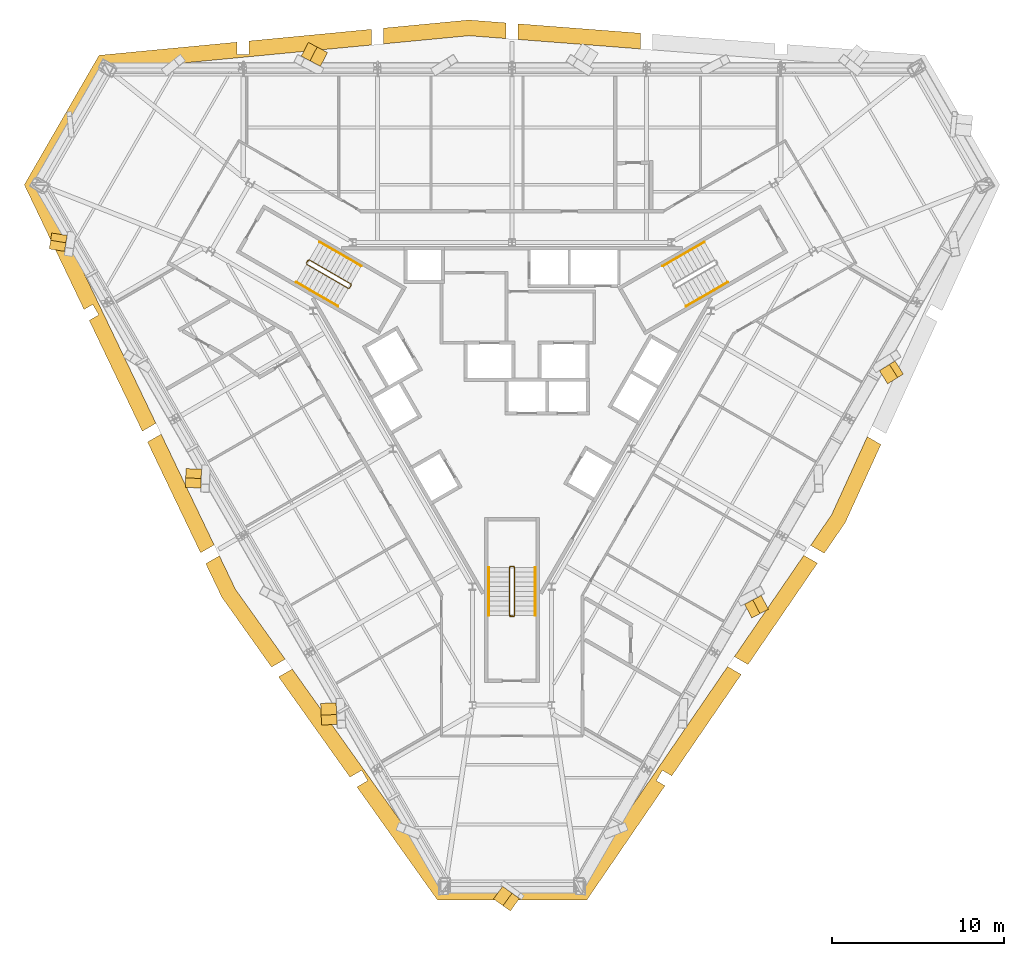
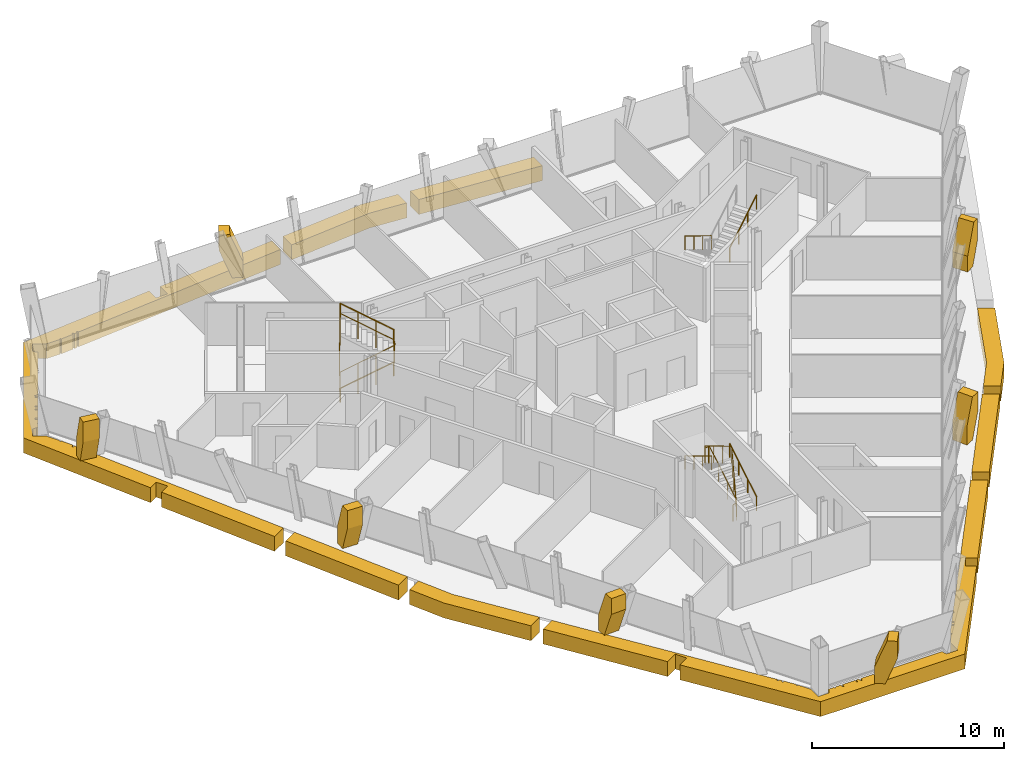
# One storey, part 11 of 12: 15 coverings, 8 railings.
"""IFC4 building model written with IfcOpenShell, lengths in metres."""

import ifcopenshell
import ifcopenshell.guid

model = None  # the IFC model being written
_history = None  # IfcOwnerHistory: only IFC2X3 demands one
_inside = {}  # id of a spatial element -> (the spatial element, [elements in it])
_under = {}  # id of a project, library or spatial element -> (it, [spatial elements below it])
_declared = {}  # id of a project -> (the project, [libraries it declares])
_typed = {}  # id of a type object -> (the type object, [elements of that type])
_made_of = {}  # id of a material, layer set ... -> (it, [elements and type objects made of it])


def new_model(schema):
    """Start an empty IFC model of exactly this schema.

    Asked for "IFC4X3", IfcOpenShell would pick the latest addendum, in which some entities
    have other attributes; the version numbers below select the first issue.
    IFC2X3 requires an IfcOwnerHistory on every rooted entity: one is made here for all.
    """
    global model, _history
    if schema == "IFC4X3":
        model = ifcopenshell.file(schema_version=(4, 3, 0, 0))
    else:
        model = ifcopenshell.file(schema=schema)
    _inside.clear()
    _under.clear()
    _declared.clear()
    _typed.clear()
    _made_of.clear()
    _history = None
    if model.schema == "IFC2X3":
        org = make("IfcOrganization", Name="unknown")
        user = make(
            "IfcPersonAndOrganization",
            ThePerson=make("IfcPerson", FamilyName="unknown"),
            TheOrganization=org,
        )
        app = make(
            "IfcApplication",
            ApplicationDeveloper=org,
            Version="unknown",
            ApplicationFullName="unknown",
            ApplicationIdentifier="unknown",
        )
        _history = make(
            "IfcOwnerHistory",
            OwningUser=user,
            OwningApplication=app,
            ChangeAction="ADDED",
            CreationDate=0,
        )
    return model


def make(cls, **values):
    """One entity of the class cls with the attributes given. An attribute that is None is left unset."""
    return model.create_entity(
        cls, **{name: value for name, value in values.items() if value is not None}
    )


def rooted(cls, **values):
    """An entity with a GlobalId (a new one), such as an element, a storey or a relation."""
    return make(cls, GlobalId=ifcopenshell.guid.new(), OwnerHistory=_history, **values)


def si_unit(unit_type, name, prefix=None):
    """IfcSIUnit, for example si_unit("LENGTHUNIT", "METRE", prefix="MILLI")."""
    return make("IfcSIUnit", UnitType=unit_type, Prefix=prefix, Name=name)


def assignment(units):
    """IfcUnitAssignment: the units of a project."""
    return None if units is None else make("IfcUnitAssignment", Units=units)


def point(xyz):
    """IfcCartesianPoint."""
    return None if xyz is None else make("IfcCartesianPoint", Coordinates=xyz)


def direction(xyz):
    """IfcDirection."""
    return None if xyz is None else make("IfcDirection", DirectionRatios=xyz)


def frame(location, z_axis=None, x_axis=None):
    """IfcAxis2Placement3D, a coordinate frame: its origin and axes. An axis left out is left unset."""
    return make(
        "IfcAxis2Placement3D",
        Location=point(location),
        Axis=direction(z_axis),
        RefDirection=direction(x_axis),
    )


def frame_2d(location, x_axis=None):
    """IfcAxis2Placement2D, a coordinate frame in the plane: its origin and x axis."""
    return make(
        "IfcAxis2Placement2D", Location=point(location), RefDirection=direction(x_axis)
    )


def origin():
    """The frame at (0, 0, 0) with its axes left unset."""
    return frame((0.0, 0.0, 0.0))


def origin_2d():
    """The frame at (0, 0) in the plane with its x axis left unset."""
    return frame_2d((0.0, 0.0))


def place(relative_to, where):
    """IfcLocalPlacement: puts the frame where relative to a parent placement (None: the world)."""
    return make(
        "IfcLocalPlacement", PlacementRelTo=relative_to, RelativePlacement=where
    )


def context(
    kind, dimensions, precision=None, world=None, true_north=None, identifier=None
):
    """IfcGeometricRepresentationContext, for example the 3D "Model" context."""
    return make(
        "IfcGeometricRepresentationContext",
        ContextIdentifier=identifier,
        ContextType=kind,
        CoordinateSpaceDimension=dimensions,
        Precision=precision,
        WorldCoordinateSystem=world,
        TrueNorth=true_north,
    )


def subcontext(parent, identifier, kind, view, scale=None):
    """IfcGeometricRepresentationSubContext, for example "Body" below "Model"."""
    return make(
        "IfcGeometricRepresentationSubContext",
        ContextIdentifier=identifier,
        ContextType=kind,
        ParentContext=parent,
        TargetScale=scale,
        TargetView=view,
    )


def project(units=None, contexts=None):
    """IfcProject with its units and contexts."""
    return rooted(
        "IfcProject",
        Name="project",
        RepresentationContexts=contexts,
        UnitsInContext=assignment(units),
    )


def spatial(cls, under=None, at=None, **own):
    """A site, building, storey or space (cls), placed at a placement, below another one or the project."""
    s = rooted(cls, ObjectPlacement=at, **own)
    if under is not None:
        _under.setdefault(under.id(), (under, []))[1].append(s)
    return s


def polyline(points):
    """IfcPolyline through the points."""
    return make("IfcPolyline", Points=[point(p) for p in points])


def profile(cls, at=None, kind="AREA", **sizes):
    """A parametric profile (cls). Its sizes go by their IFC names, for example OverallWidth=200.0."""
    return make(cls, ProfileType=kind, Position=at, **sizes)


def circle(**sizes):
    """IfcCircleProfileDef."""
    return profile("IfcCircleProfileDef", **sizes)


def outline(outer, holes=None, kind="AREA"):
    """IfcArbitraryClosedProfileDef: a profile drawn as a closed curve; with holes, ...WithVoids."""
    if holes is None:
        return make("IfcArbitraryClosedProfileDef", ProfileType=kind, OuterCurve=outer)
    return make(
        "IfcArbitraryProfileDefWithVoids",
        ProfileType=kind,
        OuterCurve=outer,
        InnerCurves=holes,
    )


def extrude(swept, where, along, depth):
    """IfcExtrudedAreaSolid: the profile swept, set in the frame where, extruded along a direction by depth."""
    return make(
        "IfcExtrudedAreaSolid",
        SweptArea=swept,
        Position=where,
        ExtrudedDirection=direction(along),
        Depth=depth,
    )


def shape(context_of_items, identifier, shape_type, items):
    """IfcShapeRepresentation: the items that make up one representation, for example the "Body"."""
    return make(
        "IfcShapeRepresentation",
        ContextOfItems=context_of_items,
        RepresentationIdentifier=identifier,
        RepresentationType=shape_type,
        Items=items,
    )


def material(Name=None, Category=None):
    """IfcMaterial."""
    return make("IfcMaterial", Name=Name, Category=Category)


def layer(
    of_material, thickness, ventilated=None, Name=None, Category=None, Priority=None
):
    """IfcMaterialLayer: one layer of a wall or slab, of a material (None: an air gap)."""
    return make(
        "IfcMaterialLayer",
        Material=of_material,
        LayerThickness=thickness,
        IsVentilated=ventilated,
        Name=Name,
        Category=Category,
        Priority=Priority,
    )


def layer_set(layers, Name=None):
    """IfcMaterialLayerSet."""
    return make("IfcMaterialLayerSet", MaterialLayers=layers, LayerSetName=Name)


def made_of(thing, what):
    """Note that an element or type object is made of a material, layer set ...; save() writes the relation."""
    if what is not None:
        _made_of.setdefault(what.id(), (what, []))[1].append(thing)
    return thing


def type_object(cls, material=None, **own):
    """A type object (cls), such as IfcWallType, which elements share."""
    return made_of(rooted(cls, **own), material)


def element(
    cls,
    number,
    at=None,
    inside=None,
    cuts=None,
    type_object=None,
    material=None,
    context=None,
    identifier="Body",
    shape_type=None,
    held_by="IfcProductDefinitionShape",
    body=None,
    shapes=None,
    **own,
):
    """One element of the class cls, such as IfcWall. Its Tag is "e" and its number.

    at: its placement. inside: the storey or other place that contains it. cuts: it is an
    opening in that element (IfcRelVoidsElement). A single representation is given by context,
    identifier, shape_type and body (its items); several are given by shapes. held_by: the class
    of the entity that holds the representations. save() writes the other relations.
    """
    e = rooted(cls, Tag="e%d" % number, ObjectPlacement=at, **own)
    if body is not None:
        shapes = [shape(context, identifier, shape_type, body)]
    if shapes is not None:
        e.Representation = make(held_by, Representations=shapes)
    if inside is not None:
        _inside.setdefault(inside.id(), (inside, []))[1].append(e)
    if cuts is not None:
        rooted(
            "IfcRelVoidsElement", RelatingBuildingElement=cuts, RelatedOpeningElement=e
        )
    if type_object is not None:
        _typed.setdefault(type_object.id(), (type_object, []))[1].append(e)
    return made_of(e, material)


def aggregate(whole, parts):
    """IfcRelAggregates: a whole, such as a stair, and the parts it consists of."""
    return rooted("IfcRelAggregates", RelatingObject=whole, RelatedObjects=parts)


def save(model, path):
    """Write the relations noted so far, then the file.

    IfcRelAggregates (storeys below a building ...), IfcRelContainedInSpatialStructure (elements
    in a storey), IfcRelDefinesByType, IfcRelAssociatesMaterial and IfcRelDeclares: one each for
    every whole, place, type object, material and project.
    """
    for whole, parts in _under.values():
        aggregate(whole, parts)
    for where, things in _inside.values():
        rooted(
            "IfcRelContainedInSpatialStructure",
            RelatedElements=things,
            RelatingStructure=where,
        )
    for kind, things in _typed.values():
        rooted("IfcRelDefinesByType", RelatedObjects=things, RelatingType=kind)
    for what, things in _made_of.values():
        rooted("IfcRelAssociatesMaterial", RelatedObjects=things, RelatingMaterial=what)
    for by, libraries in _declared.values():
        rooted("IfcRelDeclares", RelatingContext=by, RelatedDefinitions=libraries)
    model.write(path)


model = new_model("IFC4")

# Units and contexts
model_context = context("Model", 3, precision=1e-05, world=origin(), true_north=direction((0.0, 1.0)))
body_context = subcontext(model_context, "Body", "Model", "MODEL_VIEW")
ifc_project = project(units=[si_unit("LENGTHUNIT", "METRE"), si_unit("AREAUNIT", "SQUARE_METRE"), si_unit("VOLUMEUNIT", "CUBIC_METRE"), si_unit("PLANEANGLEUNIT", "RADIAN"), si_unit("MASSUNIT", "GRAM", prefix="KILO")], contexts=[model_context])

# Site, building, storey
site_placement = place(None, origin())
site = spatial("IfcSite", under=ifc_project, at=site_placement, CompositionType="ELEMENT")
building_placement = place(site_placement, origin())
building = spatial("IfcBuilding", under=site, at=building_placement, Name="Verrane Prism Tower", CompositionType="ELEMENT")
storey_placement = place(building_placement, frame((0.0, 0.0, 185.800048828125)))
storey = spatial("IfcBuildingStorey", under=building, at=storey_placement, Name="L46", CompositionType="ELEMENT", Elevation=185.800048828125)

# Railings
ifc_material_1 = material(Name="Steel A36 rail and posts, no infill", Category="steel")
railing_type_1 = type_object("IfcRailingType", Name="Stair guard 1100 steel rail and posts", PredefinedType="GUARDRAIL", material=ifc_material_1)
railing_1_placement = place(storey_placement, frame((-11.939453125, 6.72021484375, 0.168212890625)))
element("IfcRailing", 1, at=railing_1_placement, inside=storey, type_object=railing_type_1, Name="Stair 2 guard", PredefinedType="GUARDRAIL", context=body_context, shape_type="SweptSolid", body=[
    extrude(circle(Radius=0.02392578125, at=origin_2d()), frame((0.0, 0.0, 1.076171875), z_axis=(0.742395268701, -0.428678701772, 0.514862928999), x_axis=(0.500049511043, 0.865996816683, 0.0)), (0.0, 0.0, 1.0), 3.26611328125),
    extrude(circle(Radius=0.02392578125, at=origin_2d()), frame((2.4248046875, -1.400146484375, 2.7578125), z_axis=(0.965948051503, 0.258736085224, 0.0), x_axis=(-0.258736085224, 0.965948051503, 0.0)), (0.0, 0.0, 1.0), 0.07080078125),
    extrude(circle(Radius=0.02392578125, at=origin_2d()), frame((2.4931640625, -1.3818359375, 2.7578125), z_axis=(0.499158860599, 0.866510491504, 0.0), x_axis=(-0.866510491504, 0.499158860599, 0.0)), (0.0, 0.0, 1.0), 0.199951171875),
    extrude(circle(Radius=0.02392578125, at=origin_2d()), frame((2.593017578125, -1.20849609375, 2.7578125), z_axis=(-0.100385596638, 0.373434419493, 0.922209014446), x_axis=(-0.965715946433, -0.259601060869, 0.0)), (0.0, 0.0, 1.0), 0.182373046875),
    extrude(circle(Radius=0.02392578125, at=origin_2d()), frame((2.57470703125, -1.140380859375, 2.92578125), z_axis=(-0.742366697286, 0.42866220388, 0.514917859203), x_axis=(-0.500049511043, -0.865996816683, 0.0)), (0.0, 0.0, 1.0), 3.266357421875),
    extrude(circle(Radius=0.02392578125, at=origin_2d()), frame((0.14990234375, 0.259765625, 4.60791015625), z_axis=(-0.04535595117, -0.051675503147, -0.99763343973), x_axis=(0.751567565678, -0.659656118156, 0.0)), (0.0, 0.0, 1.0), 3.708740234375),
    extrude(circle(Radius=0.02392578125, at=origin_2d()), frame((-0.018310546875, 0.068115234375, 0.90771484375), z_axis=(0.499158860599, 0.866510491504, 0.0), x_axis=(-0.866510491504, 0.499158860599, 0.0)), (0.0, 0.0, 1.0), 0.199951171875),
    extrude(circle(Radius=0.02099609375, at=origin_2d()), origin(), (0.0, 0.0, 1.0), 1.052001953125),
    extrude(circle(Radius=0.02099609375, at=origin_2d()), frame((0.808349609375, -0.466796875, 0.560546875)), (0.0, 0.0, 1.0), 1.052001953125),
    extrude(circle(Radius=0.02099609375, at=origin_2d()), frame((1.616455078125, -0.933349609375, 1.12109375)), (0.0, 0.0, 1.0), 1.052001953125),
    extrude(circle(Radius=0.02099609375, at=origin_2d()), frame((2.4248046875, -1.400146484375, 1.681640625)), (0.0, 0.0, 1.0), 1.052001953125),
    extrude(circle(Radius=0.02099609375, at=origin_2d()), frame((2.4931640625, -1.3818359375, 1.681640625)), (0.0, 0.0, 1.0), 1.052001953125),
    extrude(circle(Radius=0.02099609375, at=origin_2d()), frame((2.593017578125, -1.20849609375, 1.681640625)), (0.0, 0.0, 1.0), 1.052001953125),
    extrude(circle(Radius=0.02099609375, at=origin_2d()), frame((2.57470703125, -1.140380859375, 1.849853515625)), (0.0, 0.0, 1.0), 1.052001953125),
    extrude(circle(Radius=0.02099609375, at=origin_2d()), frame((1.766357421875, -0.673583984375, 2.410400390625)), (0.0, 0.0, 1.0), 1.052001953125),
    extrude(circle(Radius=0.02099609375, at=origin_2d()), frame((0.958251953125, -0.20703125, 2.97119140625)), (0.0, 0.0, 1.0), 1.052001953125),
    extrude(circle(Radius=0.02099609375, at=origin_2d()), frame((0.14990234375, 0.259765625, 3.53173828125)), (0.0, 0.0, 1.0), 1.052001953125),
    extrude(circle(Radius=0.02099609375, at=origin_2d()), frame((0.10791015625, 0.2119140625, 2.606689453125)), (0.0, 0.0, 1.0), 1.052001953125),
    extrude(circle(Radius=0.02099609375, at=origin_2d()), frame((0.06591796875, 0.1640625, 1.681640625)), (0.0, 0.0, 1.0), 1.052001953125),
    extrude(circle(Radius=0.02099609375, at=origin_2d()), frame((0.023681640625, 0.115966796875, 0.7568359375)), (0.0, 0.0, 1.0), 1.052001953125),
    extrude(circle(Radius=0.02099609375, at=origin_2d()), frame((-0.018310546875, 0.068115234375, -0.168212890625)), (0.0, 0.0, 1.0), 1.052001953125),
    extrude(circle(Radius=0.02099609375, at=origin_2d()), frame((0.08154296875, 0.241455078125, -0.168212890625)), (0.0, 0.0, 1.0), 1.052001953125),
])
railing_2_placement = place(storey_placement, frame((0.14990234375, -13.699951171875, 0.168212890625)))
element("IfcRailing", 2, at=railing_2_placement, inside=storey, type_object=railing_type_1, Name="Stair 3 guard", PredefinedType="GUARDRAIL", context=body_context, shape_type="SweptSolid", body=[
    extrude(circle(Radius=0.02392578125, at=origin_2d()), frame((0.0, 0.0, 1.076171875), z_axis=(0.0, 0.857275202839, 0.514858452973), x_axis=(-1.0, 0.0, 0.0)), (0.0, 0.0, 1.0), 3.26611328125),
    extrude(circle(Radius=0.02392578125, at=origin_2d()), frame((0.0, 2.800048828125, 2.7578125), z_axis=(-0.707106781187, 0.707106781187, 0.0), x_axis=(-0.707106781187, -0.707106781187, 0.0)), (0.0, 0.0, 1.0), 0.0703125),
    extrude(circle(Radius=0.02392578125, at=origin_2d()), frame((-0.0498046875, 2.849853515625, 2.7578125), z_axis=(-1.0, 0.0, 0.0), x_axis=(0.0, -1.0, 0.0)), (0.0, 0.0, 1.0), 0.2001953125),
    extrude(circle(Radius=0.02392578125, at=origin_2d()), frame((-0.25, 2.849853515625, 2.7578125), z_axis=(-0.273106073848, -0.273106073848, 0.922402376869), x_axis=(0.707106781187, -0.707106781187, 0.0)), (0.0, 0.0, 1.0), 0.182373046875),
    extrude(circle(Radius=0.02392578125, at=origin_2d()), frame((-0.2998046875, 2.800048828125, 2.92578125), z_axis=(0.0, -0.857242210791, 0.514913383045), x_axis=(1.0, 0.0, 0.0)), (0.0, 0.0, 1.0), 3.266357421875),
    extrude(circle(Radius=0.02392578125, at=origin_2d()), frame((-0.2998046875, 0.0, 4.60791015625), z_axis=(0.067408604812, -0.013494886706, -0.997634185476), x_axis=(0.196300278283, 0.98054382908, 0.0)), (0.0, 0.0, 1.0), 3.708740234375),
    extrude(circle(Radius=0.02392578125, at=origin_2d()), frame((-0.0498046875, -0.050048828125, 0.90771484375), z_axis=(-1.0, 0.0, 0.0), x_axis=(0.0, -1.0, 0.0)), (0.0, 0.0, 1.0), 0.2001953125),
    extrude(circle(Radius=0.02099609375, at=origin_2d()), origin(), (0.0, 0.0, 1.0), 1.052001953125),
    extrude(circle(Radius=0.02099609375, at=origin_2d()), frame((0.0, 0.933349609375, 0.560546875)), (0.0, 0.0, 1.0), 1.052001953125),
    extrude(circle(Radius=0.02099609375, at=origin_2d()), frame((0.0, 1.86669921875, 1.12109375)), (0.0, 0.0, 1.0), 1.052001953125),
    extrude(circle(Radius=0.02099609375, at=origin_2d()), frame((0.0, 2.800048828125, 1.681640625)), (0.0, 0.0, 1.0), 1.052001953125),
    extrude(circle(Radius=0.02099609375, at=origin_2d()), frame((-0.0498046875, 2.849853515625, 1.681640625)), (0.0, 0.0, 1.0), 1.052001953125),
    extrude(circle(Radius=0.02099609375, at=origin_2d()), frame((-0.25, 2.849853515625, 1.681640625)), (0.0, 0.0, 1.0), 1.052001953125),
    extrude(circle(Radius=0.02099609375, at=origin_2d()), frame((-0.2998046875, 2.800048828125, 1.849853515625)), (0.0, 0.0, 1.0), 1.052001953125),
    extrude(circle(Radius=0.02099609375, at=origin_2d()), frame((-0.2998046875, 1.86669921875, 2.410400390625)), (0.0, 0.0, 1.0), 1.052001953125),
    extrude(circle(Radius=0.02099609375, at=origin_2d()), frame((-0.2998046875, 0.933349609375, 2.97119140625)), (0.0, 0.0, 1.0), 1.052001953125),
    extrude(circle(Radius=0.02099609375, at=origin_2d()), frame((-0.2998046875, 0.0, 3.53173828125)), (0.0, 0.0, 1.0), 1.052001953125),
    extrude(circle(Radius=0.02099609375, at=origin_2d()), frame((-0.2373046875, -0.012451171875, 2.606689453125)), (0.0, 0.0, 1.0), 1.052001953125),
    extrude(circle(Radius=0.02099609375, at=origin_2d()), frame((-0.1748046875, -0.02490234375, 1.681640625)), (0.0, 0.0, 1.0), 1.052001953125),
    extrude(circle(Radius=0.02099609375, at=origin_2d()), frame((-0.1123046875, -0.03759765625, 0.7568359375)), (0.0, 0.0, 1.0), 1.052001953125),
    extrude(circle(Radius=0.02099609375, at=origin_2d()), frame((-0.0498046875, -0.050048828125, -0.168212890625)), (0.0, 0.0, 1.0), 1.052001953125),
    extrude(circle(Radius=0.02099609375, at=origin_2d()), frame((-0.25, -0.050048828125, -0.168212890625)), (0.0, 0.0, 1.0), 1.052001953125),
])
ifc_material_2 = material(Name="Steel A36 tube", Category="steel")
railing_type_2 = type_object("IfcRailingType", Name="Stair handrail 900 steel tube", PredefinedType="HANDRAIL", material=ifc_material_2)
railing_3_placement = place(storey_placement, frame((11.189453125, 8.01904296875, 0.168212890625)))
element("IfcRailing", 3, at=railing_3_placement, inside=storey, type_object=railing_type_2, Name="Stair 1 handrail", PredefinedType="HANDRAIL", context=body_context, shape_type="SweptSolid", body=[
    extrude(circle(Radius=0.02392578125, at=origin_2d()), frame((0.0, 0.0, 0.8759765625), z_axis=(-0.74241905619, -0.428617687091, 0.514879426), x_axis=(0.49998411664, -0.866034573852, 0.0)), (0.0, 0.0, 1.0), 3.26611328125),
    extrude(circle(Radius=0.02099609375, at=origin_2d()), origin(), (0.0, 0.0, 1.0), 0.851806640625),
    extrude(circle(Radius=0.02099609375, at=origin_2d()), frame((-0.808349609375, -0.466552734375, 0.560546875)), (0.0, 0.0, 1.0), 0.851806640625),
    extrude(circle(Radius=0.02099609375, at=origin_2d()), frame((-1.616455078125, -0.933349609375, 1.12109375)), (0.0, 0.0, 1.0), 0.851806640625),
    extrude(circle(Radius=0.02099609375, at=origin_2d()), frame((-2.4248046875, -1.39990234375, 1.681640625)), (0.0, 0.0, 1.0), 0.851806640625),
])
railing_4_placement = place(storey_placement, frame((10.11474609375, 4.28076171875, 2.01806640625)))
element("IfcRailing", 4, at=railing_4_placement, inside=storey, type_object=railing_type_2, Name="Stair 1 handrail", PredefinedType="HANDRAIL", context=body_context, shape_type="SweptSolid", body=[
    extrude(circle(Radius=0.02392578125, at=origin_2d()), frame((0.0, 0.0, 0.8759765625), z_axis=(0.742366697286, 0.42866220388, 0.514917859203), x_axis=(-0.500049511043, 0.865996816683, 0.0)), (0.0, 0.0, 1.0), 3.266357421875),
    extrude(circle(Radius=0.02099609375, at=origin_2d()), origin(), (0.0, 0.0, 1.0), 0.851806640625),
    extrude(circle(Radius=0.02099609375, at=origin_2d()), frame((0.808349609375, 0.466796875, 0.560546875)), (0.0, 0.0, 1.0), 0.851806640625),
    extrude(circle(Radius=0.02099609375, at=origin_2d()), frame((1.616455078125, 0.933349609375, 1.121337890625)), (0.0, 0.0, 1.0), 0.851806640625),
    extrude(circle(Radius=0.02099609375, at=origin_2d()), frame((2.4248046875, 1.400146484375, 1.681884765625)), (0.0, 0.0, 1.0), 0.851806640625),
])
railing_5_placement = place(storey_placement, frame((-12.53955078125, 5.680908203125, 0.168212890625)))
element("IfcRailing", 5, at=railing_5_placement, inside=storey, type_object=railing_type_2, Name="Stair 2 handrail", PredefinedType="HANDRAIL", context=body_context, shape_type="SweptSolid", body=[
    extrude(circle(Radius=0.02392578125, at=origin_2d()), frame((0.0, 0.0, 0.8759765625), z_axis=(0.742395268701, -0.428678701772, 0.514862928999), x_axis=(0.500049511043, 0.865996816683, 0.0)), (0.0, 0.0, 1.0), 3.26611328125),
    extrude(circle(Radius=0.02099609375, at=origin_2d()), origin(), (0.0, 0.0, 1.0), 0.851806640625),
    extrude(circle(Radius=0.02099609375, at=origin_2d()), frame((0.808349609375, -0.466796875, 0.560546875)), (0.0, 0.0, 1.0), 0.851806640625),
    extrude(circle(Radius=0.02099609375, at=origin_2d()), frame((1.616455078125, -0.933349609375, 1.12109375)), (0.0, 0.0, 1.0), 0.851806640625),
    extrude(circle(Radius=0.02099609375, at=origin_2d()), frame((2.4248046875, -1.400146484375, 1.681640625)), (0.0, 0.0, 1.0), 0.851806640625),
])
railing_6_placement = place(storey_placement, frame((-8.7646484375, 6.619140625, 2.01806640625)))
element("IfcRailing", 6, at=railing_6_placement, inside=storey, type_object=railing_type_2, Name="Stair 2 handrail", PredefinedType="HANDRAIL", context=body_context, shape_type="SweptSolid", body=[
    extrude(circle(Radius=0.02392578125, at=origin_2d()), frame((0.0, 0.0, 0.8759765625), z_axis=(-0.742390482028, 0.42860119049, 0.514934356695), x_axis=(-0.49998411664, -0.866034573852, 0.0)), (0.0, 0.0, 1.0), 3.26611328125),
    extrude(circle(Radius=0.02099609375, at=origin_2d()), origin(), (0.0, 0.0, 1.0), 0.851806640625),
    extrude(circle(Radius=0.02099609375, at=origin_2d()), frame((-0.808349609375, 0.466552734375, 0.560546875)), (0.0, 0.0, 1.0), 0.851806640625),
    extrude(circle(Radius=0.02099609375, at=origin_2d()), frame((-1.616455078125, 0.933349609375, 1.121337890625)), (0.0, 0.0, 1.0), 0.851806640625),
    extrude(circle(Radius=0.02099609375, at=origin_2d()), frame((-2.4248046875, 1.39990234375, 1.681884765625)), (0.0, 0.0, 1.0), 0.851806640625),
])
railing_7_placement = place(storey_placement, frame((1.35009765625, -13.699951171875, 0.168212890625)))
element("IfcRailing", 7, at=railing_7_placement, inside=storey, type_object=railing_type_2, Name="Stair 3 handrail", PredefinedType="HANDRAIL", context=body_context, shape_type="SweptSolid", body=[
    extrude(circle(Radius=0.02392578125, at=origin_2d()), frame((0.0, 0.0, 0.8759765625), z_axis=(0.0, 0.857275202839, 0.514858452973), x_axis=(-1.0, 0.0, 0.0)), (0.0, 0.0, 1.0), 3.26611328125),
    extrude(circle(Radius=0.02099609375, at=origin_2d()), origin(), (0.0, 0.0, 1.0), 0.851806640625),
    extrude(circle(Radius=0.02099609375, at=origin_2d()), frame((0.0, 0.933349609375, 0.560546875)), (0.0, 0.0, 1.0), 0.851806640625),
    extrude(circle(Radius=0.02099609375, at=origin_2d()), frame((0.0, 1.86669921875, 1.12109375)), (0.0, 0.0, 1.0), 0.851806640625),
    extrude(circle(Radius=0.02099609375, at=origin_2d()), frame((0.0, 2.800048828125, 1.681640625)), (0.0, 0.0, 1.0), 0.851806640625),
])
railing_8_placement = place(storey_placement, frame((-1.35009765625, -10.89990234375, 2.01806640625)))
element("IfcRailing", 8, at=railing_8_placement, inside=storey, type_object=railing_type_2, Name="Stair 3 handrail", PredefinedType="HANDRAIL", context=body_context, shape_type="SweptSolid", body=[
    extrude(circle(Radius=0.02392578125, at=origin_2d()), frame((0.0, 0.0, 0.8759765625), z_axis=(0.0, -0.857242210791, 0.514913383045), x_axis=(1.0, 0.0, 0.0)), (0.0, 0.0, 1.0), 3.266357421875),
    extrude(circle(Radius=0.02099609375, at=origin_2d()), origin(), (0.0, 0.0, 1.0), 0.851806640625),
    extrude(circle(Radius=0.02099609375, at=origin_2d()), frame((0.0, -0.933349609375, 0.560546875)), (0.0, 0.0, 1.0), 0.851806640625),
    extrude(circle(Radius=0.02099609375, at=origin_2d()), frame((0.0, -1.86669921875, 1.121337890625)), (0.0, 0.0, 1.0), 0.851806640625),
    extrude(circle(Radius=0.02099609375, at=origin_2d()), frame((0.0, -2.800048828125, 1.681884765625)), (0.0, 0.0, 1.0), 0.851806640625),
])

# Coverings
ifc_material_3 = material(Name="Warm limestone cladding", Category="masonry")
ifc_layer_1 = layer(ifc_material_3, 0.89990234375)
ifc_layer_set_1 = layer_set([ifc_layer_1], Name="Stone brace fin 900")
covering_type_1 = type_object("IfcCoveringType", Name="Stone brace fin 900", PredefinedType="CLADDING", material=ifc_layer_set_1)
covering_1_placement = place(storey_placement, frame((-10.92822265625, 18.633544921875, 0.0), z_axis=(0.0, 0.0, 1.0), x_axis=(-0.885774610607, 0.464115652833, 0.0)))
element("IfcCovering", 9, at=covering_1_placement, inside=storey, type_object=covering_type_1, Name="Stone brace fin N5 L46", PredefinedType="CLADDING", context=body_context, shape_type="SweptSolid", body=[
    extrude(outline(polyline([(1.25927734375, 2.75), (0.685302734375, 2.75), (0.0, 1.0107421875), (0.0, 0.0), (0.569091796875, 0.0), (1.25927734375, 1.751953125), (1.25927734375, 2.75)])), frame((0.0, 0.449951171875, 0.0), z_axis=(0.0, -1.0, 0.0), x_axis=(1.0, 0.0, 0.0)), (0.0, 0.0, 1.0), 0.89990234375),
])
covering_2_placement = place(storey_placement, frame((-26.310791015625, 8.468994140625, 0.0), z_axis=(0.0, 0.0, 1.0), x_axis=(-0.156698917092, -0.987646419212, 0.0)))
element("IfcCovering", 10, at=covering_2_placement, inside=storey, type_object=covering_type_1, Name="Stone brace fin SW1 L46", PredefinedType="CLADDING", context=body_context, shape_type="SweptSolid", body=[
    extrude(outline(polyline([(0.9365234375, 2.75), (0.4296875, 2.75), (0.0, 1.283203125), (0.0, 0.0), (0.5029296875, 0.0), (0.9365234375, 1.4794921875), (0.9365234375, 2.75)])), frame((0.0, 0.449951171875, 0.0), z_axis=(0.0, -1.0, 0.0), x_axis=(1.0, 0.0, 0.0)), (0.0, 0.0, 1.0), 0.89990234375),
])
covering_3_placement = place(storey_placement, frame((-18.501220703125, -5.1728515625, 0.0), z_axis=(0.0, 0.0, 1.0), x_axis=(-0.037217729507, -0.999307180306, 0.0)))
element("IfcCovering", 11, at=covering_3_placement, inside=storey, type_object=covering_type_1, Name="Stone brace fin SW3 L46", PredefinedType="CLADDING", context=body_context, shape_type="SweptSolid", body=[
    extrude(outline(polyline([(1.095703125, 2.75), (0.541259765625, 2.75), (0.0, 1.171142578125), (0.0, 0.0), (0.550048828125, 0.0), (1.095703125, 1.591552734375), (1.095703125, 2.75)])), frame((0.0, 0.449951171875, 0.0), z_axis=(0.0, -1.0, 0.0), x_axis=(1.0, 0.0, 0.0)), (0.0, 0.0, 1.0), 0.89990234375),
])
covering_4_placement = place(storey_placement, frame((-10.673828125, -18.787353515625, 0.0), z_axis=(0.0, 0.0, 1.0), x_axis=(0.042325038652, -0.999103894049, 0.0)))
element("IfcCovering", 12, at=covering_4_placement, inside=storey, type_object=covering_type_1, Name="Stone brace fin SW5 L46", PredefinedType="CLADDING", context=body_context, shape_type="SweptSolid", body=[
    extrude(outline(polyline([(1.257568359375, 2.75), (0.68359375, 2.75), (0.0, 1.012451171875), (0.0, 0.0), (0.56884765625, 0.0), (1.257568359375, 1.750244140625), (1.257568359375, 2.75)])), frame((0.0, 0.449951171875, 0.0), z_axis=(0.0, -1.0, 0.0), x_axis=(1.0, 0.0, 0.0)), (0.0, 0.0, 1.0), 0.89990234375),
])
covering_5_placement = place(storey_placement, frame((13.730712890625, -13.438232421875, 0.0), z_axis=(0.0, 0.0, 1.0), x_axis=(0.884461688364, 0.466612817887, 0.0)))
element("IfcCovering", 13, at=covering_5_placement, inside=storey, type_object=covering_type_1, Name="Stone brace fin SE3 L46", PredefinedType="CLADDING", context=body_context, shape_type="SweptSolid", body=[
    extrude(outline(polyline([(1.091552734375, 2.75), (0.53759765625, 2.75), (0.0, 1.175537109375), (0.0, 0.0), (0.549560546875, 0.0), (1.091552734375, 1.587158203125), (1.091552734375, 2.75)])), frame((0.0, 0.449951171875, 0.0), z_axis=(0.0, -1.0, 0.0), x_axis=(1.0, 0.0, 0.0)), (0.0, 0.0, 1.0), 0.89990234375),
])
covering_6_placement = place(storey_placement, frame((21.600341796875, 0.15185546875, 0.0), z_axis=(0.0, 0.0, 1.0), x_axis=(0.846240447926, 0.53280118646, 0.0)))
element("IfcCovering", 14, at=covering_6_placement, inside=storey, type_object=covering_type_1, Name="Stone brace fin SE5 L46", PredefinedType="CLADDING", context=body_context, shape_type="SweptSolid", body=[
    extrude(outline(polyline([(1.07177734375, 2.75), (0.6865234375, 2.75), (0.0, 1.009521484375), (0.0, 0.0), (0.569091796875, 0.0), (1.07177734375, 1.273681640625), (1.07177734375, 2.75)])), frame((0.0, 0.449951171875, 0.0), z_axis=(0.0, -1.0, 0.0), x_axis=(1.0, 0.0, 0.0)), (0.0, 0.0, 1.0), 0.89990234375),
])
covering_7_placement = place(storey_placement, frame((-0.810302734375, -29.809814453125, 0.0), z_axis=(0.0, 0.0, 1.0), x_axis=(0.813102135859, -0.582121049836, 0.0)))
element("IfcCovering", 15, at=covering_7_placement, inside=storey, type_object=covering_type_1, Name="Stone brace fin S1 L46", PredefinedType="CLADDING", context=body_context, shape_type="SweptSolid", body=[
    extrude(outline(polyline([(1.20263671875, 2.75), (0.675537109375, 2.75), (0.0, 1.00439453125), (0.0, 0.0), (0.576416015625, 0.0), (1.20263671875, 1.61865234375), (1.20263671875, 2.75)])), frame((0.0, 0.449951171875, 0.0), z_axis=(0.0, -1.0, 0.0), x_axis=(1.0, 0.0, 0.0)), (0.0, 0.0, 1.0), 0.89990234375),
])
ifc_material_4 = material(Name="Warm limestone cladding", Category="masonry")
ifc_layer_2 = layer(ifc_material_4, 0.449951171875)
ifc_layer_set_2 = layer_set([ifc_layer_2], Name="Stone spandrel band 450")
covering_type_2 = type_object("IfcCoveringType", Name="Stone spandrel band 450", PredefinedType="CLADDING", material=ifc_layer_set_2)
covering_8_placement = place(storey_placement, frame((0.0, 0.0, -0.949951171875)))
element("IfcCovering", 16, at=covering_8_placement, inside=storey, type_object=covering_type_2, Name="Stone spandrel band L46 part 1", PredefinedType="CLADDING", context=body_context, shape_type="SweptSolid", body=[
    extrude(outline(polyline([(4.3505859375, -30.22509765625), (8.893310546875, -23.59228515625), (8.3876953125, -23.30029296875), (8.737548828125, -22.694091796875), (9.2900390625, -23.012939453125), (13.32373046875, -17.123291015625), (12.533447265625, -16.6669921875), (5.751953125, -26.568603515625), (5.77001953125, -26.614501953125), (5.747802734375, -26.623046875), (5.767578125, -26.634521484375), (5.7177734375, -26.720703125), (5.667724609375, -26.691650390625), (5.2314453125, -27.32861328125), (5.332763671875, -27.38720703125), (5.284912109375, -27.469970703125), (5.177490234375, -27.40771484375), (5.08203125, -27.547119140625), (5.190185546875, -27.62939453125), (5.1328125, -27.70458984375), (5.028564453125, -27.625), (4.851806640625, -27.88330078125), (4.640869140625, -28.248291015625), (4.6904296875, -28.285888671875), (4.635498046875, -28.358154296875), (4.59521484375, -28.327392578125), (4.199951171875, -29.01220703125), (4.199951171875, -29.75), (3.5400390625, -29.75), (3.5400390625, -29.727783203125), (3.431884765625, -29.535888671875), (3.431884765625, -29.448486328125), (-0.388671875, -29.448486328125), (-0.526611328125, -29.64111328125), (-0.63427734375, -29.56396484375), (-0.5517578125, -29.448486328125), (-0.641357421875, -29.448486328125), (-0.641357421875, -29.6201171875), (-0.705810546875, -29.6201171875), (-0.705810546875, -29.448486328125), (-1.4677734375, -29.448486328125), (-1.4677734375, -29.6201171875), (-1.570068359375, -29.6201171875), (-1.570068359375, -29.448486328125), (-1.7470703125, -29.448486328125), (-1.7470703125, -29.6201171875), (-1.811279296875, -29.6201171875), (-1.811279296875, -29.448486328125), (-2.573486328125, -29.448486328125), (-2.573486328125, -29.6201171875), (-2.67578125, -29.6201171875), (-2.67578125, -29.448486328125), (-2.969482421875, -29.448486328125), (-3.047607421875, -29.51611328125), (-3.0888671875, -29.468505859375), (-3.06591796875, -29.448486328125), (-3.431884765625, -29.448486328125), (-3.431884765625, -29.535888671875), (-3.5400390625, -29.727783203125), (-3.5400390625, -29.75), (-4.199951171875, -29.75), (-4.199951171875, -29.01220703125), (-4.59521484375, -28.327392578125), (-4.635498046875, -28.358154296875), (-4.6904296875, -28.285888671875), (-4.640869140625, -28.248291015625), (-4.684814453125, -28.172119140625), (-5.058349609375, -27.647705078125), (-5.1328125, -27.70458984375), (-5.190185546875, -27.62939453125), (-5.113037109375, -27.57080078125), (-5.214111328125, -27.428955078125), (-5.284912109375, -27.469970703125), (-5.332763671875, -27.38720703125), (-5.269775390625, -27.350830078125), (-12.777099609375, -16.807861328125), (-13.568603515625, -17.2646484375), (-9.42138671875, -23.0888671875), (-8.737548828125, -22.694091796875), (-8.3876953125, -23.30029296875), (-9.013671875, -23.66162109375), (-4.340087890625, -30.22509765625), (4.3505859375, -30.22509765625)])), origin(), (0.0, 0.0, 1.0), 0.949951171875),
])
covering_9_placement = place(storey_placement, frame((0.0, 0.0, -0.949951171875)))
element("IfcCovering", 17, at=covering_9_placement, inside=storey, type_object=covering_type_2, Name="Stone spandrel band L46 part 3", PredefinedType="CLADDING", context=body_context, shape_type="SweptSolid", body=[
    extrude(outline(polyline([(-25.77978515625, 14.2451171875), (-25.91357421875, 14.2314453125), (-25.9267578125, 14.36328125), (-25.6982421875, 14.38671875), (-23.787109375, 17.69677734375), (-23.8603515625, 17.739013671875), (-23.968505859375, 17.92822265625), (-23.9873046875, 17.939208984375), (-23.657470703125, 18.5107421875), (-23.02099609375, 18.143310546875), (-22.22998046875, 18.143310546875), (-22.236083984375, 18.192138671875), (-22.145751953125, 18.20361328125), (-22.13818359375, 18.143310546875), (-22.055419921875, 18.143310546875), (-21.40771484375, 18.205078125), (-21.419189453125, 18.295654296875), (-21.3251953125, 18.3076171875), (-21.3134765625, 18.214111328125), (-21.1396484375, 18.230712890625), (-21.1396484375, 18.31005859375), (-21.044189453125, 18.31005859375), (-21.044189453125, 18.239990234375), (-8.16748046875, 19.468994140625), (-8.16748046875, 20.383056640625), (-15.284912109375, 19.70361328125), (-15.284912109375, 18.912109375), (-15.98486328125, 18.912109375), (-15.98486328125, 19.63671875), (-24.005615234375, 18.87109375), (-28.350830078125, 11.3447265625), (-24.878173828125, 4.09423828125), (-24.37109375, 4.386962890625), (-24.02099609375, 3.78076171875), (-24.57470703125, 3.461181640625), (-21.4912109375, -2.97705078125), (-20.700927734375, -2.520751953125), (-25.8876953125, 8.30810546875), (-25.926513671875, 8.314208984375), (-25.923095703125, 8.33544921875), (-25.942138671875, 8.324462890625), (-25.99169921875, 8.410400390625), (-25.948486328125, 8.435302734375), (-26.2822265625, 9.131591796875), (-26.376708984375, 9.0771484375), (-26.424560546875, 9.159912109375), (-26.323486328125, 9.21826171875), (-26.39697265625, 9.37109375), (-26.51513671875, 9.3212890625), (-26.5517578125, 9.408447265625), (-26.437744140625, 9.45654296875), (-26.573486328125, 9.739990234375), (-26.783447265625, 10.103759765625), (-26.835205078125, 10.08203125), (-26.8701171875, 10.165771484375), (-26.829345703125, 10.18310546875), (-27.22998046875, 10.876953125), (-27.857421875, 11.2392578125), (-27.52734375, 11.810791015625), (-27.50830078125, 11.7998046875), (-27.289306640625, 11.797119140625), (-27.21728515625, 11.75537109375), (-27.035888671875, 12.0693359375), (-27.05908203125, 12.0615234375), (-27.079345703125, 12.120849609375), (-26.98828125, 12.152099609375), (-26.8388671875, 12.41064453125), (-26.982666015625, 12.493896484375), (-26.931396484375, 12.58251953125), (-26.78759765625, 12.499267578125), (-26.406982421875, 13.158935546875), (-26.550537109375, 13.241943359375), (-26.518310546875, 13.2978515625), (-26.374755859375, 13.21484375), (-26.286376953125, 13.367919921875), (-26.429931640625, 13.450927734375), (-26.378662109375, 13.53955078125), (-26.235107421875, 13.45654296875), (-25.854248046875, 14.1162109375), (-25.99755859375, 14.19921875), (-25.96533203125, 14.2548828125), (-25.822021484375, 14.172119140625), (-25.77978515625, 14.2451171875)])), origin(), (0.0, 0.0, 1.0), 0.949951171875),
])
covering_10_placement = place(storey_placement, frame((0.0, 0.0, -0.949951171875)))
element("IfcCovering", 18, at=covering_10_placement, inside=storey, type_object=covering_type_2, Name="Stone spandrel band L46 part 4", PredefinedType="CLADDING", context=body_context, shape_type="SweptSolid", body=[
    extrude(outline(polyline([(-17.31396484375, -9.592041015625), (-20.397705078125, -3.15380859375), (-21.187744140625, -3.610107421875), (-18.10400390625, -10.04833984375), (-17.31396484375, -9.592041015625)])), origin(), (0.0, 0.0, 1.0), 0.949951171875),
])
covering_11_placement = place(storey_placement, frame((0.0, 0.0, -0.949951171875)))
element("IfcCovering", 19, at=covering_11_placement, inside=storey, type_object=covering_type_2, Name="Stone spandrel band L46 part 5", PredefinedType="CLADDING", context=body_context, shape_type="SweptSolid", body=[
    extrude(outline(polyline([(-13.184814453125, -16.235107421875), (-16.078369140625, -12.17138671875), (-17.010498046875, -10.22509765625), (-17.80078125, -10.681396484375), (-16.864990234375, -12.63525390625), (-13.976318359375, -16.69189453125), (-13.184814453125, -16.235107421875)])), origin(), (0.0, 0.0, 1.0), 0.949951171875),
])
covering_12_placement = place(storey_placement, frame((0.0, 0.0, -0.949951171875)))
element("IfcCovering", 20, at=covering_12_placement, inside=storey, type_object=covering_type_2, Name="Stone spandrel band L46 part 6", PredefinedType="CLADDING", context=body_context, shape_type="SweptSolid", body=[
    extrude(outline(polyline([(17.754150390625, -10.654541015625), (16.9638671875, -10.1982421875), (12.93017578125, -16.087890625), (13.720458984375, -16.544189453125), (17.754150390625, -10.654541015625)])), origin(), (0.0, 0.0, 1.0), 0.949951171875),
])
covering_13_placement = place(storey_placement, frame((0.0, 0.0, -0.949951171875)))
element("IfcCovering", 21, at=covering_13_placement, inside=storey, type_object=covering_type_2, Name="Stone spandrel band L46 part 7", PredefinedType="CLADDING", context=body_context, shape_type="SweptSolid", body=[
    extrude(outline(polyline([(20.65234375, -3.301025390625), (18.580078125, -7.838623046875), (17.360595703125, -9.618896484375), (18.15087890625, -10.0751953125), (19.375, -8.287841796875), (21.44384765625, -3.758056640625), (20.65234375, -3.301025390625)])), origin(), (0.0, 0.0, 1.0), 0.949951171875),
])
covering_14_placement = place(storey_placement, frame((0.0, 0.0, -0.949951171875)))
element("IfcCovering", 22, at=covering_14_placement, inside=storey, type_object=covering_type_2, Name="Stone spandrel band L46 part 8", PredefinedType="CLADDING", context=body_context, shape_type="SweptSolid", body=[
    extrude(outline(polyline([(0.35009765625, 19.790283203125), (7.46728515625, 19.24169921875), (7.46728515625, 20.154296875), (0.35009765625, 20.702880859375), (0.35009765625, 19.790283203125)])), origin(), (0.0, 0.0, 1.0), 0.949951171875),
])
covering_15_placement = place(storey_placement, frame((0.0, 0.0, -0.949951171875)))
element("IfcCovering", 23, at=covering_15_placement, inside=storey, type_object=covering_type_2, Name="Stone spandrel band L46 part 9", PredefinedType="CLADDING", context=body_context, shape_type="SweptSolid", body=[
    extrude(outline(polyline([(-7.46728515625, 20.449951171875), (-7.46728515625, 19.535888671875), (-2.501708984375, 20.010009765625), (-0.35009765625, 19.84423828125), (-0.35009765625, 20.756591796875), (-2.510009765625, 20.923095703125), (-7.46728515625, 20.449951171875)])), origin(), (0.0, 0.0, 1.0), 0.949951171875),
])

save(model, "model.ifc")
